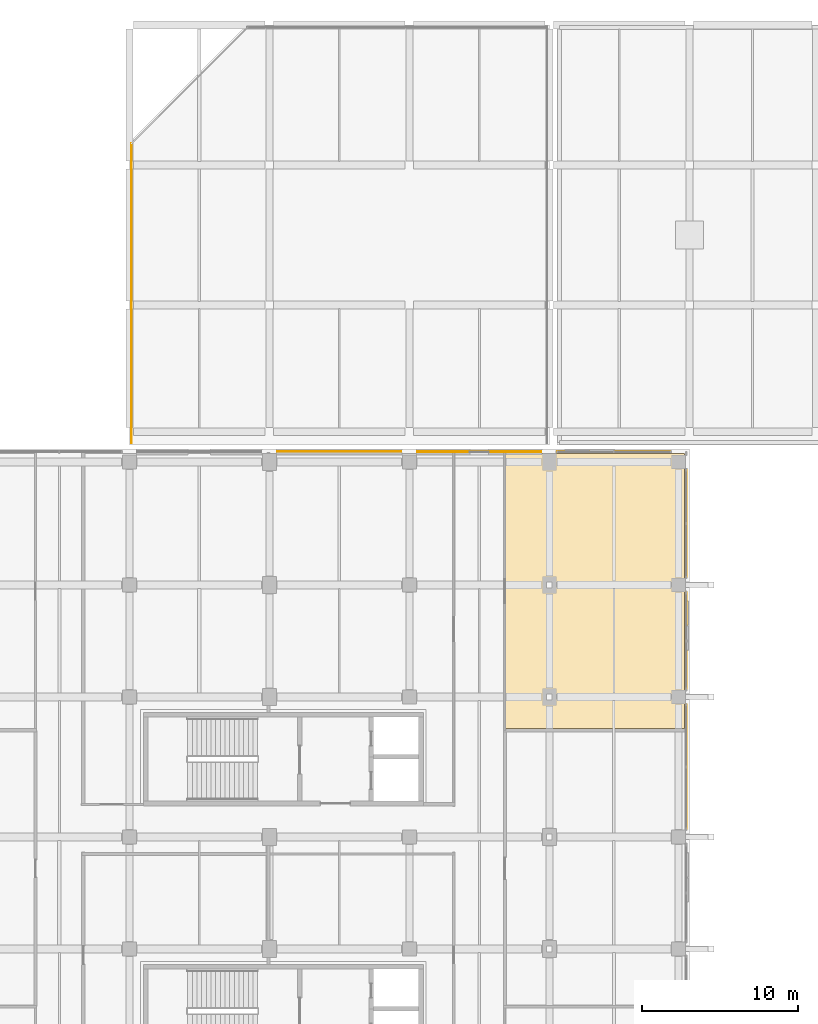
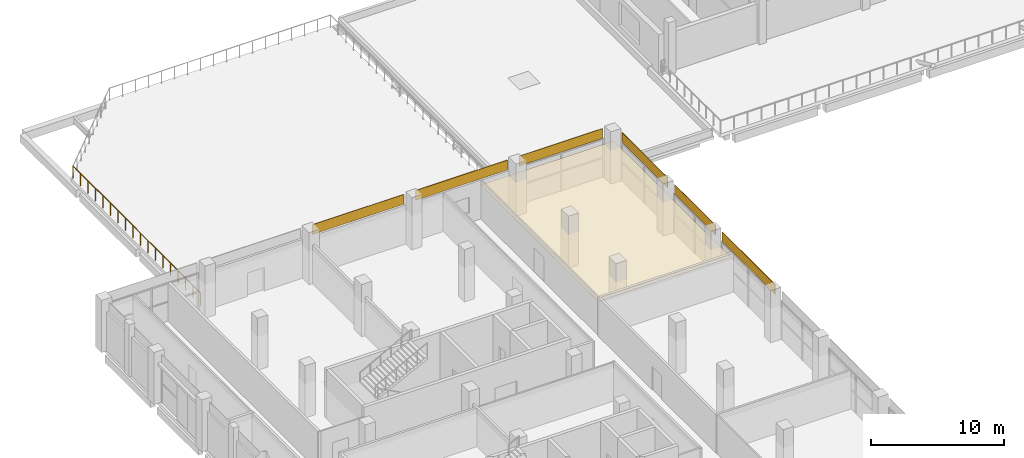
# One storey, part 71 of 82: 7 coverings, 1 railing.
"""IFC4 building model written with IfcOpenShell, lengths in metres."""

import ifcopenshell
import ifcopenshell.guid

model = None  # the IFC model being written
_history = None  # IfcOwnerHistory: only IFC2X3 demands one
_inside = {}  # id of a spatial element -> (the spatial element, [elements in it])
_under = {}  # id of a project, library or spatial element -> (it, [spatial elements below it])
_declared = {}  # id of a project -> (the project, [libraries it declares])
_typed = {}  # id of a type object -> (the type object, [elements of that type])
_made_of = {}  # id of a material, layer set ... -> (it, [elements and type objects made of it])


def new_model(schema):
    """Start an empty IFC model of exactly this schema.

    Asked for "IFC4X3", IfcOpenShell would pick the latest addendum, in which some entities
    have other attributes; the version numbers below select the first issue.
    IFC2X3 requires an IfcOwnerHistory on every rooted entity: one is made here for all.
    """
    global model, _history
    if schema == "IFC4X3":
        model = ifcopenshell.file(schema_version=(4, 3, 0, 0))
    else:
        model = ifcopenshell.file(schema=schema)
    _inside.clear()
    _under.clear()
    _declared.clear()
    _typed.clear()
    _made_of.clear()
    _history = None
    if model.schema == "IFC2X3":
        org = make("IfcOrganization", Name="unknown")
        user = make(
            "IfcPersonAndOrganization",
            ThePerson=make("IfcPerson", FamilyName="unknown"),
            TheOrganization=org,
        )
        app = make(
            "IfcApplication",
            ApplicationDeveloper=org,
            Version="unknown",
            ApplicationFullName="unknown",
            ApplicationIdentifier="unknown",
        )
        _history = make(
            "IfcOwnerHistory",
            OwningUser=user,
            OwningApplication=app,
            ChangeAction="ADDED",
            CreationDate=0,
        )
    return model


def make(cls, **values):
    """One entity of the class cls with the attributes given. An attribute that is None is left unset."""
    return model.create_entity(
        cls, **{name: value for name, value in values.items() if value is not None}
    )


def rooted(cls, **values):
    """An entity with a GlobalId (a new one), such as an element, a storey or a relation."""
    return make(cls, GlobalId=ifcopenshell.guid.new(), OwnerHistory=_history, **values)


def si_unit(unit_type, name, prefix=None):
    """IfcSIUnit, for example si_unit("LENGTHUNIT", "METRE", prefix="MILLI")."""
    return make("IfcSIUnit", UnitType=unit_type, Prefix=prefix, Name=name)


def assignment(units):
    """IfcUnitAssignment: the units of a project."""
    return None if units is None else make("IfcUnitAssignment", Units=units)


def point(xyz):
    """IfcCartesianPoint."""
    return None if xyz is None else make("IfcCartesianPoint", Coordinates=xyz)


def direction(xyz):
    """IfcDirection."""
    return None if xyz is None else make("IfcDirection", DirectionRatios=xyz)


def frame(location, z_axis=None, x_axis=None):
    """IfcAxis2Placement3D, a coordinate frame: its origin and axes. An axis left out is left unset."""
    return make(
        "IfcAxis2Placement3D",
        Location=point(location),
        Axis=direction(z_axis),
        RefDirection=direction(x_axis),
    )


def frame_2d(location, x_axis=None):
    """IfcAxis2Placement2D, a coordinate frame in the plane: its origin and x axis."""
    return make(
        "IfcAxis2Placement2D", Location=point(location), RefDirection=direction(x_axis)
    )


def origin():
    """The frame at (0, 0, 0) with its axes left unset."""
    return frame((0.0, 0.0, 0.0))


def origin_2d():
    """The frame at (0, 0) in the plane with its x axis left unset."""
    return frame_2d((0.0, 0.0))


def place(relative_to, where):
    """IfcLocalPlacement: puts the frame where relative to a parent placement (None: the world)."""
    return make(
        "IfcLocalPlacement", PlacementRelTo=relative_to, RelativePlacement=where
    )


def context(
    kind, dimensions, precision=None, world=None, true_north=None, identifier=None
):
    """IfcGeometricRepresentationContext, for example the 3D "Model" context."""
    return make(
        "IfcGeometricRepresentationContext",
        ContextIdentifier=identifier,
        ContextType=kind,
        CoordinateSpaceDimension=dimensions,
        Precision=precision,
        WorldCoordinateSystem=world,
        TrueNorth=true_north,
    )


def subcontext(parent, identifier, kind, view, scale=None):
    """IfcGeometricRepresentationSubContext, for example "Body" below "Model"."""
    return make(
        "IfcGeometricRepresentationSubContext",
        ContextIdentifier=identifier,
        ContextType=kind,
        ParentContext=parent,
        TargetScale=scale,
        TargetView=view,
    )


def project(units=None, contexts=None):
    """IfcProject with its units and contexts."""
    return rooted(
        "IfcProject",
        Name="project",
        RepresentationContexts=contexts,
        UnitsInContext=assignment(units),
    )


def spatial(cls, under=None, at=None, **own):
    """A site, building, storey or space (cls), placed at a placement, below another one or the project."""
    s = rooted(cls, ObjectPlacement=at, **own)
    if under is not None:
        _under.setdefault(under.id(), (under, []))[1].append(s)
    return s


def polyline(points):
    """IfcPolyline through the points."""
    return make("IfcPolyline", Points=[point(p) for p in points])


def profile(cls, at=None, kind="AREA", **sizes):
    """A parametric profile (cls). Its sizes go by their IFC names, for example OverallWidth=200.0."""
    return make(cls, ProfileType=kind, Position=at, **sizes)


def rectangle(**sizes):
    """IfcRectangleProfileDef."""
    return profile("IfcRectangleProfileDef", **sizes)


def circle(**sizes):
    """IfcCircleProfileDef."""
    return profile("IfcCircleProfileDef", **sizes)


def outline(outer, holes=None, kind="AREA"):
    """IfcArbitraryClosedProfileDef: a profile drawn as a closed curve; with holes, ...WithVoids."""
    if holes is None:
        return make("IfcArbitraryClosedProfileDef", ProfileType=kind, OuterCurve=outer)
    return make(
        "IfcArbitraryProfileDefWithVoids",
        ProfileType=kind,
        OuterCurve=outer,
        InnerCurves=holes,
    )


def extrude(swept, where, along, depth):
    """IfcExtrudedAreaSolid: the profile swept, set in the frame where, extruded along a direction by depth."""
    return make(
        "IfcExtrudedAreaSolid",
        SweptArea=swept,
        Position=where,
        ExtrudedDirection=direction(along),
        Depth=depth,
    )


def shape(context_of_items, identifier, shape_type, items):
    """IfcShapeRepresentation: the items that make up one representation, for example the "Body"."""
    return make(
        "IfcShapeRepresentation",
        ContextOfItems=context_of_items,
        RepresentationIdentifier=identifier,
        RepresentationType=shape_type,
        Items=items,
    )


def material(Name=None, Category=None):
    """IfcMaterial."""
    return make("IfcMaterial", Name=Name, Category=Category)


def layer(
    of_material, thickness, ventilated=None, Name=None, Category=None, Priority=None
):
    """IfcMaterialLayer: one layer of a wall or slab, of a material (None: an air gap)."""
    return make(
        "IfcMaterialLayer",
        Material=of_material,
        LayerThickness=thickness,
        IsVentilated=ventilated,
        Name=Name,
        Category=Category,
        Priority=Priority,
    )


def layer_set(layers, Name=None):
    """IfcMaterialLayerSet."""
    return make("IfcMaterialLayerSet", MaterialLayers=layers, LayerSetName=Name)


def made_of(thing, what):
    """Note that an element or type object is made of a material, layer set ...; save() writes the relation."""
    if what is not None:
        _made_of.setdefault(what.id(), (what, []))[1].append(thing)
    return thing


def type_object(cls, material=None, **own):
    """A type object (cls), such as IfcWallType, which elements share."""
    return made_of(rooted(cls, **own), material)


def element(
    cls,
    number,
    at=None,
    inside=None,
    cuts=None,
    type_object=None,
    material=None,
    context=None,
    identifier="Body",
    shape_type=None,
    held_by="IfcProductDefinitionShape",
    body=None,
    shapes=None,
    **own,
):
    """One element of the class cls, such as IfcWall. Its Tag is "e" and its number.

    at: its placement. inside: the storey or other place that contains it. cuts: it is an
    opening in that element (IfcRelVoidsElement). A single representation is given by context,
    identifier, shape_type and body (its items); several are given by shapes. held_by: the class
    of the entity that holds the representations. save() writes the other relations.
    """
    e = rooted(cls, Tag="e%d" % number, ObjectPlacement=at, **own)
    if body is not None:
        shapes = [shape(context, identifier, shape_type, body)]
    if shapes is not None:
        e.Representation = make(held_by, Representations=shapes)
    if inside is not None:
        _inside.setdefault(inside.id(), (inside, []))[1].append(e)
    if cuts is not None:
        rooted(
            "IfcRelVoidsElement", RelatingBuildingElement=cuts, RelatedOpeningElement=e
        )
    if type_object is not None:
        _typed.setdefault(type_object.id(), (type_object, []))[1].append(e)
    return made_of(e, material)


def aggregate(whole, parts):
    """IfcRelAggregates: a whole, such as a stair, and the parts it consists of."""
    return rooted("IfcRelAggregates", RelatingObject=whole, RelatedObjects=parts)


def save(model, path):
    """Write the relations noted so far, then the file.

    IfcRelAggregates (storeys below a building ...), IfcRelContainedInSpatialStructure (elements
    in a storey), IfcRelDefinesByType, IfcRelAssociatesMaterial and IfcRelDeclares: one each for
    every whole, place, type object, material and project.
    """
    for whole, parts in _under.values():
        aggregate(whole, parts)
    for where, things in _inside.values():
        rooted(
            "IfcRelContainedInSpatialStructure",
            RelatedElements=things,
            RelatingStructure=where,
        )
    for kind, things in _typed.values():
        rooted("IfcRelDefinesByType", RelatedObjects=things, RelatingType=kind)
    for what, things in _made_of.values():
        rooted("IfcRelAssociatesMaterial", RelatedObjects=things, RelatingMaterial=what)
    for by, libraries in _declared.values():
        rooted("IfcRelDeclares", RelatingContext=by, RelatedDefinitions=libraries)
    model.write(path)


model = new_model("IFC4")

# Units and contexts
model_context = context("Model", 3, precision=1e-05, world=origin(), true_north=direction((0.0, 1.0)))
body_context = subcontext(model_context, "Body", "Model", "MODEL_VIEW")
ifc_project = project(units=[si_unit("LENGTHUNIT", "METRE"), si_unit("AREAUNIT", "SQUARE_METRE"), si_unit("VOLUMEUNIT", "CUBIC_METRE"), si_unit("PLANEANGLEUNIT", "RADIAN"), si_unit("MASSUNIT", "GRAM", prefix="KILO"), si_unit("THERMODYNAMICTEMPERATUREUNIT", "KELVIN"), si_unit("POWERUNIT", "WATT")], contexts=[model_context])

# Site, building, storey
site_placement = place(None, origin())
site = spatial("IfcSite", under=ifc_project, at=site_placement, CompositionType="ELEMENT")
building_placement = place(site_placement, origin())
building = spatial("IfcBuilding", under=site, at=building_placement, Name="Sindhuravela Promenade Stadium", CompositionType="ELEMENT")
storey_placement = place(building_placement, frame((0.0, 0.0, 14.39990234375)))
storey = spatial("IfcBuildingStorey", under=building, at=storey_placement, Name="L03", CompositionType="ELEMENT", Elevation=14.39990234375)

# Coverings
ifc_material_1 = material(Name="Acoustic mineral-fibre ceiling tile", Category="gypsum")
ifc_layer_1 = layer(ifc_material_1, 0.02490234375)
ifc_layer_set_1 = layer_set([ifc_layer_1], Name="Acoustic mineral-fibre ceiling tile")
covering_type_1 = type_object("IfcCoveringType", Name="CV-CEIL-1", PredefinedType="CEILING", material=ifc_layer_set_1)
covering_1_placement = place(storey_placement, frame((0.0, 0.0, 3.050048828125)))
element("IfcCovering", 1, at=covering_1_placement, inside=storey, type_object=covering_type_1, Name="Acoustic ceiling Executive Hospitality Suite W04", PredefinedType="CEILING", context=body_context, shape_type="SweptSolid", body=[
    extrude(outline(polyline([(44.699951171875, 107.778076171875), (44.699951171875, 107.77587890625), (44.69970703125, 107.774169921875), (44.69921875, 107.772216796875), (44.698486328125, 107.770263671875), (44.697509765625, 107.7685546875), (44.696533203125, 107.766845703125), (44.695556640625, 107.765380859375), (44.694091796875, 107.763916015625), (44.692626953125, 107.762451171875), (44.691162109375, 107.761474609375), (44.689453125, 107.760498046875), (44.687744140625, 107.759521484375), (44.685791015625, 107.7587890625), (44.683837890625, 107.75830078125), (44.681884765625, 107.758056640625), (44.679931640625, 107.758056640625), (33.139892578125, 107.758056640625), (33.137939453125, 107.758056640625), (33.135986328125, 107.75830078125), (33.13427734375, 107.7587890625), (33.13232421875, 107.759521484375), (33.130615234375, 107.760498046875), (33.12890625, 107.761474609375), (33.127197265625, 107.762451171875), (33.1259765625, 107.763916015625), (33.12451171875, 107.765380859375), (33.123291015625, 107.766845703125), (33.122314453125, 107.7685546875), (33.12158203125, 107.770263671875), (33.120849609375, 107.772216796875), (33.120361328125, 107.774169921875), (33.1201171875, 107.77587890625), (33.1201171875, 107.778076171875), (33.1201171875, 125.429931640625), (33.1201171875, 125.431884765625), (33.120361328125, 125.433837890625), (33.120849609375, 125.435791015625), (33.12158203125, 125.437744140625), (33.122314453125, 125.439453125), (33.123291015625, 125.441162109375), (33.12451171875, 125.442626953125), (33.1259765625, 125.444091796875), (33.127197265625, 125.445556640625), (33.12890625, 125.446533203125), (33.130615234375, 125.447509765625), (33.13232421875, 125.448486328125), (33.13427734375, 125.44921875), (33.135986328125, 125.44970703125), (33.137939453125, 125.449951171875), (33.139892578125, 125.449951171875), (44.679931640625, 125.449951171875), (44.681884765625, 125.449951171875), (44.683837890625, 125.44970703125), (44.685791015625, 125.44921875), (44.687744140625, 125.448486328125), (44.689453125, 125.447509765625), (44.691162109375, 125.446533203125), (44.692626953125, 125.445556640625), (44.694091796875, 125.444091796875), (44.695556640625, 125.442626953125), (44.696533203125, 125.441162109375), (44.697509765625, 125.439453125), (44.698486328125, 125.437744140625), (44.69921875, 125.435791015625), (44.69970703125, 125.433837890625), (44.699951171875, 125.431884765625), (44.699951171875, 125.429931640625), (44.699951171875, 107.778076171875)])), origin(), (0.0, 0.0, 1.0), 0.025146484375),
])
ifc_material_2 = material(Name="Polychrome trencadis ceramic mosaic", Category="masonry")
ifc_layer_2 = layer(ifc_material_2, 0.034912109375)
ifc_layer_set_2 = layer_set([ifc_layer_2], Name="Polychrome trencadis ceramic mosaic")
covering_type_2 = type_object("IfcCoveringType", Name="CV-TRENC-1", PredefinedType="CLADDING", material=ifc_layer_set_2)
covering_2_placement = place(storey_placement, frame((22.5, 125.570068359375, 3.55517578125), z_axis=(0.0, 0.0, 1.0), x_axis=(1.0, 0.0, 0.0)))
element("IfcCovering", 2, at=covering_2_placement, inside=storey, type_object=covering_type_2, Name="Trencadis ceramic mosaic spandrel frieze WEST L03-82", PredefinedType="CLADDING", context=body_context, shape_type="SweptSolid", body=[
    extrude(rectangle(XDim=7.969970703125, YDim=0.034912109375, at=origin_2d()), origin(), (0.0, 0.0, 1.0), 0.905029296875),
])
covering_3_placement = place(storey_placement, frame((40.14990234375, 125.570068359375, 3.55517578125), z_axis=(0.0, 0.0, 1.0), x_axis=(1.0, 0.0, 0.0)))
element("IfcCovering", 3, at=covering_3_placement, inside=storey, type_object=covering_type_2, Name="Trencadis ceramic mosaic spandrel frieze WEST L03-84", PredefinedType="CLADDING", context=body_context, shape_type="SweptSolid", body=[
    extrude(rectangle(XDim=7.27001953125, YDim=0.034912109375, at=origin_2d()), origin(), (0.0, 0.0, 1.0), 0.905029296875),
])
covering_4_placement = place(storey_placement, frame((44.820068359375, 113.39990234375, 3.55517578125), z_axis=(0.0, 0.0, 1.0), x_axis=(0.0, -1.0, 0.0)))
element("IfcCovering", 4, at=covering_4_placement, inside=storey, type_object=covering_type_2, Name="Trencadis ceramic mosaic spandrel frieze WEST L03-86", PredefinedType="CLADDING", context=body_context, shape_type="SweptSolid", body=[
    extrude(rectangle(XDim=6.169921875, YDim=0.034912109375, at=origin_2d()), origin(), (0.0, 0.0, 1.0), 0.905029296875),
])
ifc_layer_3 = layer(ifc_material_2, 0.050048828125)
ifc_layer_set_3 = layer_set([ifc_layer_3], Name="Polychrome trencadis ceramic mosaic")
covering_type_3 = type_object("IfcCoveringType", Name="CV-TRENC-2", PredefinedType="CLADDING", material=ifc_layer_set_3)
covering_5_placement = place(storey_placement, frame((31.5, 125.570068359375, 3.55517578125), z_axis=(0.0, 0.0, 1.0), x_axis=(1.0, 0.0, 0.0)))
element("IfcCovering", 5, at=covering_5_placement, inside=storey, type_object=covering_type_3, Name="Trencadis ceramic mosaic spandrel frieze WEST L03-83", PredefinedType="CLADDING", context=body_context, shape_type="SweptSolid", body=[
    extrude(rectangle(XDim=7.969970703125, YDim=0.050048828125, at=origin_2d()), origin(), (0.0, 0.0, 1.0), 0.905029296875),
])
covering_6_placement = place(storey_placement, frame((44.820068359375, 120.949951171875, 3.55517578125), z_axis=(0.0, 0.0, 1.0), x_axis=(0.0, -1.0, 0.0)))
element("IfcCovering", 6, at=covering_6_placement, inside=storey, type_object=covering_type_3, Name="Trencadis ceramic mosaic spandrel frieze WEST L03-85", PredefinedType="CLADDING", context=body_context, shape_type="SweptSolid", body=[
    extrude(rectangle(XDim=6.8701171875, YDim=0.050048828125, at=origin_2d()), origin(), (0.0, 0.0, 1.0), 0.905029296875),
])
covering_7_placement = place(storey_placement, frame((44.820068359375, 105.300048828125, 3.55517578125), z_axis=(0.0, 0.0, 1.0), x_axis=(0.0, -1.0, 0.0)))
element("IfcCovering", 7, at=covering_7_placement, inside=storey, type_object=covering_type_3, Name="Trencadis ceramic mosaic spandrel frieze WEST L03-87", PredefinedType="CLADDING", context=body_context, shape_type="SweptSolid", body=[
    extrude(rectangle(XDim=7.969970703125, YDim=0.050048828125, at=origin_2d()), origin(), (0.0, 0.0, 1.0), 0.905029296875),
])

# Railing
ifc_material_3 = material(Name="Architectural wrought steel E350", Category="steel")
railing_type = type_object("IfcRailingType", Name="RL-BAL-1150", PredefinedType="BALUSTRADE", material=ifc_material_3)
railing_placement = place(storey_placement, frame((9.139892578125, 126.139892578125, 0.0)))
element("IfcRailing", 8, at=railing_placement, inside=storey, type_object=railing_type, Name="Terrace wrought balustrade BL01-21", PredefinedType="BALUSTRADE", context=body_context, shape_type="SweptSolid", body=[
    extrude(circle(Radius=0.02392578125, at=origin_2d()), frame((0.0, 0.0, 1.1259765625), z_axis=(0.0, 1.0, 0.0), x_axis=(-1.0, 0.0, 0.0)), (0.0, 0.0, 1.0), 19.2421875),
    extrude(circle(Radius=0.02099609375, at=origin_2d()), origin(), (0.0, 0.0, 1.0), 1.101806640625),
    extrude(circle(Radius=0.02099609375, at=origin_2d()), frame((0.0, 1.1318359375, 0.0)), (0.0, 0.0, 1.0), 1.101806640625),
    extrude(circle(Radius=0.02099609375, at=origin_2d()), frame((0.0, 2.263671875, 0.0)), (0.0, 0.0, 1.0), 1.101806640625),
    extrude(circle(Radius=0.02099609375, at=origin_2d()), frame((0.0, 3.395751953125, 0.0)), (0.0, 0.0, 1.0), 1.101806640625),
    extrude(circle(Radius=0.02099609375, at=origin_2d()), frame((0.0, 4.527587890625, 0.0)), (0.0, 0.0, 1.0), 1.101806640625),
    extrude(circle(Radius=0.02099609375, at=origin_2d()), frame((0.0, 5.659423828125, 0.0)), (0.0, 0.0, 1.0), 1.101806640625),
    extrude(circle(Radius=0.02099609375, at=origin_2d()), frame((0.0, 6.791259765625, 0.0)), (0.0, 0.0, 1.0), 1.101806640625),
    extrude(circle(Radius=0.02099609375, at=origin_2d()), frame((0.0, 7.92333984375, 0.0)), (0.0, 0.0, 1.0), 1.101806640625),
    extrude(circle(Radius=0.02099609375, at=origin_2d()), frame((0.0, 9.05517578125, 0.0)), (0.0, 0.0, 1.0), 1.101806640625),
    extrude(circle(Radius=0.02099609375, at=origin_2d()), frame((0.0, 10.18701171875, 0.0)), (0.0, 0.0, 1.0), 1.101806640625),
    extrude(circle(Radius=0.02099609375, at=origin_2d()), frame((0.0, 11.31884765625, 0.0)), (0.0, 0.0, 1.0), 1.101806640625),
    extrude(circle(Radius=0.02099609375, at=origin_2d()), frame((0.0, 12.450927734375, 0.0)), (0.0, 0.0, 1.0), 1.101806640625),
    extrude(circle(Radius=0.02099609375, at=origin_2d()), frame((0.0, 13.582763671875, 0.0)), (0.0, 0.0, 1.0), 1.101806640625),
    extrude(circle(Radius=0.02099609375, at=origin_2d()), frame((0.0, 14.714599609375, 0.0)), (0.0, 0.0, 1.0), 1.101806640625),
    extrude(circle(Radius=0.02099609375, at=origin_2d()), frame((0.0, 15.846435546875, 0.0)), (0.0, 0.0, 1.0), 1.101806640625),
    extrude(circle(Radius=0.02099609375, at=origin_2d()), frame((0.0, 16.978515625, 0.0)), (0.0, 0.0, 1.0), 1.101806640625),
    extrude(circle(Radius=0.02099609375, at=origin_2d()), frame((0.0, 18.1103515625, 0.0)), (0.0, 0.0, 1.0), 1.101806640625),
    extrude(circle(Radius=0.02099609375, at=origin_2d()), frame((0.0, 19.2421875, 0.0)), (0.0, 0.0, 1.0), 1.101806640625),
])

save(model, "model.ifc")
